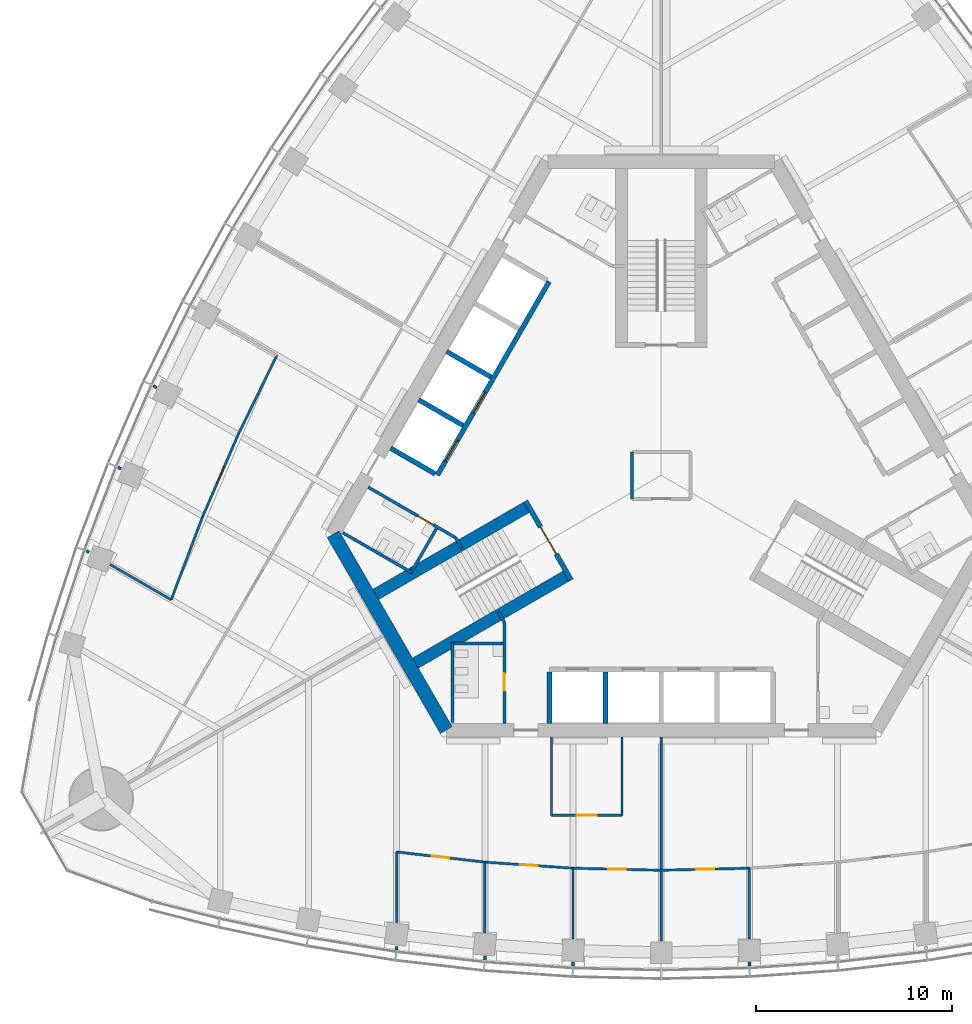
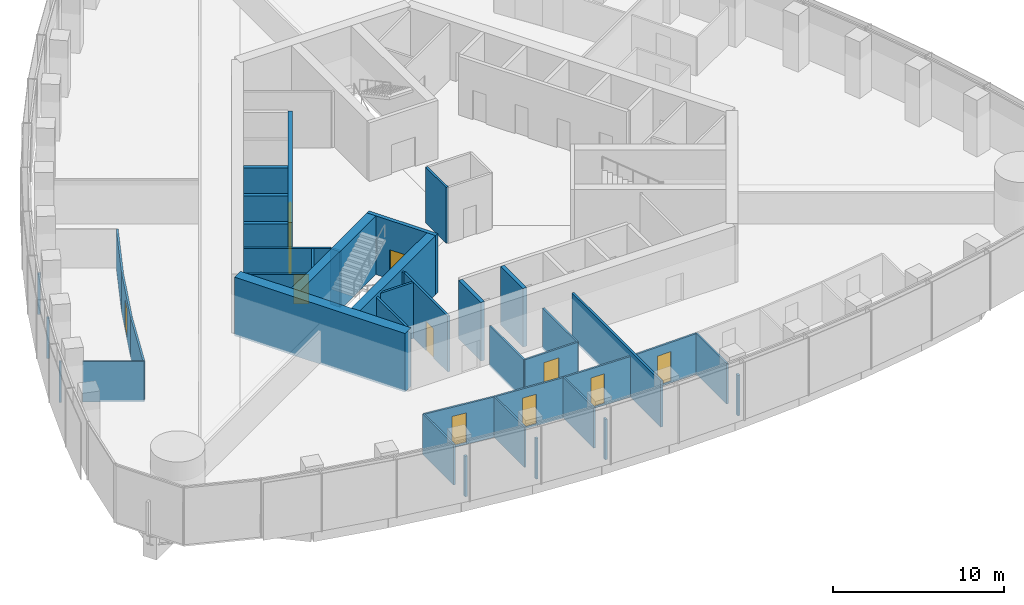
# One storey, part 11 of 19: 42 walls, 11 doors, 11 openings.
"""IFC4 building model written with IfcOpenShell, lengths in metres."""

from ifc_helpers import new_model, si_unit, direction, frame, frame_2d, origin, place, context, subcontext, project, spatial, rectangle, extrude, material, layer, layer_set, type_object, element, fill, save


model = new_model("IFC4")

# Units and contexts
model_context = context("Model", 3, precision=1e-05, world=origin(), true_north=direction((0.0, 1.0)))
body_context = subcontext(model_context, "Body", "Model", "MODEL_VIEW")
ifc_project = project(units=[si_unit("LENGTHUNIT", "METRE"), si_unit("AREAUNIT", "SQUARE_METRE"), si_unit("VOLUMEUNIT", "CUBIC_METRE"), si_unit("PLANEANGLEUNIT", "RADIAN"), si_unit("MASSUNIT", "GRAM", prefix="KILO")], contexts=[model_context])

# Site, building, storey
site_placement = place(None, origin())
site = spatial("IfcSite", under=ifc_project, at=site_placement, CompositionType="ELEMENT")
building_placement = place(site_placement, origin())
building = spatial("IfcBuilding", under=site, at=building_placement, Name="Trefoil Bronze Tower", CompositionType="ELEMENT")
storey_placement = place(building_placement, frame((0.0, 0.0, 223.300048828125)))
storey = spatial("IfcBuildingStorey", under=building, at=storey_placement, Name="L51", CompositionType="ELEMENT", Elevation=223.300048828125)

# Wall
ifc_material_1 = material(Name="Concrete B80", Category="concrete")
ifc_layer_1 = layer(ifc_material_1, 0.699951171875)
ifc_layer_set_1 = layer_set([ifc_layer_1], Name="Core wall 700")
wall_type_1 = type_object("IfcWallType", Name="Core wall 700", PredefinedType="SHEAR", material=ifc_layer_set_1)
wall_1_placement = place(storey_placement, frame((-16.7431640625, -3.0, 0.0), z_axis=(0.0, 0.0, 1.0), x_axis=(0.499995765644, -0.866027848477, 0.0)))
element("IfcWall", 1, at=wall_1_placement, inside=storey, type_object=wall_type_1, Name="Core short wall 3 L51", PredefinedType="SHEAR", context=body_context, shape_type="SweptSolid", body=[
    extrude(rectangle(XDim=11.546875, YDim=0.699951171875, at=frame_2d((5.7734375, 0.0))), origin(), (0.0, 0.0, 1.0), 4.199951171875),
])

# Wall, opening, door
ifc_material_2 = material(Name="Glazed partition", Category="glass")
ifc_layer_2 = layer(ifc_material_2, 0.1201171875)
ifc_layer_set_2 = layer_set([ifc_layer_2], Name="Glazed partition 120")
wall_type_2 = type_object("IfcWallType", Name="Glazed partition 120", PredefinedType="PARTITIONING", material=ifc_layer_set_2)
wall_2_placement = place(storey_placement, frame((-5.60009765625, -17.35009765625, 0.0), z_axis=(0.0, 0.0, 1.0), x_axis=(1.0, 0.0, 0.0)))
wall_2 = element("IfcWall", 2, at=wall_2_placement, inside=storey, type_object=wall_type_2, Name="Partition F1 L51", PredefinedType="PARTITIONING", context=body_context, shape_type="SweptSolid", body=[
    extrude(rectangle(XDim=3.60009765625, YDim=0.1201171875, at=frame_2d((1.800048828125, 0.0))), origin(), (0.0, 0.0, 1.0), 2.89990234375),
])
opening_1_placement = place(wall_2_placement, frame((1.300048828125, 0.0, 0.14990234375)))
opening_1 = element("IfcOpeningElement", 3, at=opening_1_placement, cuts=wall_2, Name="Opening D9", PredefinedType="OPENING", context=body_context, shape_type="SweptSolid", body=[
    extrude(rectangle(XDim=1.0, YDim=2.10009765625, at=frame_2d((0.5, 1.050048828125))), frame((0.0, 0.070068359375, 0.0), z_axis=(0.0, -1.0, 0.0), x_axis=(1.0, 0.0, 0.0)), (0.0, 0.0, 1.0), 0.14013671875),
])
ifc_material_3 = material(Name="Glazed timber door", Category="wood")
door_type_1 = type_object("IfcDoorType", Name="Meeting room door 1000", OperationType="SINGLE_SWING_LEFT", PredefinedType="DOOR", material=ifc_material_3)
door_1_placement = place(opening_1_placement, origin())
door_1 = element("IfcDoor", 4, at=door_1_placement, inside=storey, type_object=door_type_1, Name="Meeting room door F1 L51", OperationType="SINGLE_SWING_RIGHT", OverallHeight=2.10009765625, OverallWidth=1.0, PredefinedType="DOOR", context=body_context, shape_type="SweptSolid", body=[
    extrude(rectangle(XDim=1.0, YDim=2.10009765625, at=frame_2d((0.5, 1.050048828125))), frame((0.0, 0.02490234375, 0.0), z_axis=(0.0, -1.0, 0.0), x_axis=(1.0, 0.0, 0.0)), (0.0, 0.0, 1.0), 0.050048828125),
])
fill(opening_1, door_1)

# Walls
for number, where, z_axis, x_axis, name in (
    (5, (-2.0, -13.35009765625, 0.0), (0.0, 0.0, 1.0), (0.0, -1.0, 0.0), "Partition F1 L51"),
    (6, (-5.60009765625, -13.35009765625, 0.0), (0.0, 0.0, 1.0), (0.0, -1.0, 0.0), "Partition F1 L51"),
):
    element("IfcWall", number, at=place(storey_placement, frame(where, z_axis=z_axis, x_axis=x_axis)), inside=storey, type_object=wall_type_2, Name=name, PredefinedType="PARTITIONING", context=body_context, shape_type="SweptSolid", body=[
        extrude(rectangle(XDim=4.0, YDim=0.1201171875, at=frame_2d((2.0, 0.0))), origin(), (0.0, 0.0, 1.0), 2.89990234375),
    ])

# Wall, opening, door
wall_3_placement = place(storey_placement, frame((0.0, -20.150634765625, 0.0), z_axis=(0.0, 0.0, 1.0), x_axis=(0.99973552509, 0.022997388381, 0.0)))
wall_3 = element("IfcWall", 7, at=wall_3_placement, inside=storey, type_object=wall_type_2, Name="Partition F1 L51", PredefinedType="PARTITIONING", context=body_context, shape_type="SweptSolid", body=[
    extrude(rectangle(XDim=4.501220703125, YDim=0.1201171875, at=frame_2d((2.25048828125, 0.0))), origin(), (0.0, 0.0, 1.0), 2.89990234375),
])
opening_2_placement = place(wall_3_placement, frame((1.800048828125, 0.0, 0.14990234375)))
opening_2 = element("IfcOpeningElement", 8, at=opening_2_placement, cuts=wall_3, Name="Opening D8", PredefinedType="OPENING", context=body_context, shape_type="SweptSolid", body=[
    extrude(rectangle(XDim=0.89990234375, YDim=2.10009765625, at=frame_2d((0.449951171875, 1.050048828125))), frame((0.0, 0.070068359375, 0.0), z_axis=(0.0, -1.0, 0.0), x_axis=(1.0, 0.0, 0.0)), (0.0, 0.0, 1.0), 0.14013671875),
])
ifc_material_4 = material(Name="Timber door", Category="wood")
door_type_2 = type_object("IfcDoorType", Name="Office door 900", OperationType="SINGLE_SWING_LEFT", PredefinedType="DOOR", material=ifc_material_4)
door_2_placement = place(opening_2_placement, frame((0.89990234375, 0.0, 0.0), z_axis=(0.0, 0.0, 1.0), x_axis=(-1.0, 0.0, 0.0)))
door_2 = element("IfcDoor", 9, at=door_2_placement, inside=storey, type_object=door_type_2, Name="Office door F1 L51", OperationType="SINGLE_SWING_RIGHT", OverallHeight=2.10009765625, OverallWidth=0.89990234375, PredefinedType="DOOR", context=body_context, shape_type="SweptSolid", body=[
    extrude(rectangle(XDim=0.89990234375, YDim=2.10009765625, at=frame_2d((0.449951171875, 1.050048828125))), frame((0.0, 0.02490234375, 0.0), z_axis=(0.0, -1.0, 0.0), x_axis=(1.0, 0.0, 0.0)), (0.0, 0.0, 1.0), 0.050048828125),
])
fill(opening_2, door_2)

wall_4_placement = place(storey_placement, frame((-13.5, -19.216064453125, 0.0), z_axis=(0.0, 0.0, 1.0), x_axis=(0.993382946625, -0.114849124309, 0.0)))
wall_4 = element("IfcWall", 10, at=wall_4_placement, inside=storey, type_object=wall_type_2, Name="Partition F1 L51", PredefinedType="PARTITIONING", context=body_context, shape_type="SweptSolid", body=[
    extrude(rectangle(XDim=4.530029296875, YDim=0.1201171875, at=frame_2d((2.26513671875, 0.0))), origin(), (0.0, 0.0, 1.0), 2.89990234375),
])
opening_3_placement = place(wall_4_placement, frame((1.800048828125, 0.0, 0.14990234375)))
opening_3 = element("IfcOpeningElement", 11, at=opening_3_placement, cuts=wall_4, Name="Opening D8", PredefinedType="OPENING", context=body_context, shape_type="SweptSolid", body=[
    extrude(rectangle(XDim=0.89990234375, YDim=2.10009765625, at=frame_2d((0.449951171875, 1.050048828125))), frame((0.0, 0.070068359375, 0.0), z_axis=(0.0, -1.0, 0.0), x_axis=(1.0, 0.0, 0.0)), (0.0, 0.0, 1.0), 0.14013671875),
])
door_3_placement = place(opening_3_placement, frame((0.89990234375, 0.0, 0.0), z_axis=(0.0, 0.0, 1.0), x_axis=(-1.0, 0.0, 0.0)))
door_3 = element("IfcDoor", 12, at=door_3_placement, inside=storey, type_object=door_type_2, Name="Office door F1 L51", OperationType="SINGLE_SWING_RIGHT", OverallHeight=2.10009765625, OverallWidth=0.89990234375, PredefinedType="DOOR", context=body_context, shape_type="SweptSolid", body=[
    extrude(rectangle(XDim=0.89990234375, YDim=2.10009765625, at=frame_2d((0.449951171875, 1.050048828125))), frame((0.0, 0.02490234375, 0.0), z_axis=(0.0, -1.0, 0.0), x_axis=(1.0, 0.0, 0.0)), (0.0, 0.0, 1.0), 0.050048828125),
])
fill(opening_3, door_3)

wall_5_placement = place(storey_placement, frame((-4.5, -20.047119140625, 0.0), z_axis=(0.0, 0.0, 1.0), x_axis=(0.99973552509, -0.022997388381, 0.0)))
wall_5 = element("IfcWall", 13, at=wall_5_placement, inside=storey, type_object=wall_type_2, Name="Partition F1 L51", PredefinedType="PARTITIONING", context=body_context, shape_type="SweptSolid", body=[
    extrude(rectangle(XDim=4.501220703125, YDim=0.1201171875, at=frame_2d((2.25048828125, 0.0))), origin(), (0.0, 0.0, 1.0), 2.89990234375),
])
opening_4_placement = place(wall_5_placement, frame((1.800048828125, 0.0, 0.14990234375)))
opening_4 = element("IfcOpeningElement", 14, at=opening_4_placement, cuts=wall_5, Name="Opening D8", PredefinedType="OPENING", context=body_context, shape_type="SweptSolid", body=[
    extrude(rectangle(XDim=0.89990234375, YDim=2.10009765625, at=frame_2d((0.449951171875, 1.050048828125))), frame((0.0, 0.070068359375, 0.0), z_axis=(0.0, -1.0, 0.0), x_axis=(1.0, 0.0, 0.0)), (0.0, 0.0, 1.0), 0.14013671875),
])
door_4_placement = place(opening_4_placement, frame((0.89990234375, 0.0, 0.0), z_axis=(0.0, 0.0, 1.0), x_axis=(-1.0, 0.0, 0.0)))
door_4 = element("IfcDoor", 15, at=door_4_placement, inside=storey, type_object=door_type_2, Name="Office door F1 L51", OperationType="SINGLE_SWING_RIGHT", OverallHeight=2.10009765625, OverallWidth=0.89990234375, PredefinedType="DOOR", context=body_context, shape_type="SweptSolid", body=[
    extrude(rectangle(XDim=0.89990234375, YDim=2.10009765625, at=frame_2d((0.449951171875, 1.050048828125))), frame((0.0, 0.02490234375, 0.0), z_axis=(0.0, -1.0, 0.0), x_axis=(1.0, 0.0, 0.0)), (0.0, 0.0, 1.0), 0.050048828125),
])
fill(opening_4, door_4)

wall_6_placement = place(storey_placement, frame((-9.0, -19.736328125, 0.0), z_axis=(0.0, 0.0, 1.0), x_axis=(0.997623533978, -0.068900540297, 0.0)))
wall_6 = element("IfcWall", 16, at=wall_6_placement, inside=storey, type_object=wall_type_2, Name="Partition F1 L51", PredefinedType="PARTITIONING", context=body_context, shape_type="SweptSolid", body=[
    extrude(rectangle(XDim=4.5107421875, YDim=0.1201171875, at=frame_2d((2.25537109375, 0.0))), origin(), (0.0, 0.0, 1.0), 2.89990234375),
])
opening_5_placement = place(wall_6_placement, frame((1.800048828125, 0.0, 0.14990234375)))
opening_5 = element("IfcOpeningElement", 17, at=opening_5_placement, cuts=wall_6, Name="Opening D8", PredefinedType="OPENING", context=body_context, shape_type="SweptSolid", body=[
    extrude(rectangle(XDim=0.89990234375, YDim=2.10009765625, at=frame_2d((0.449951171875, 1.050048828125))), frame((0.0, 0.070068359375, 0.0), z_axis=(0.0, -1.0, 0.0), x_axis=(1.0, 0.0, 0.0)), (0.0, 0.0, 1.0), 0.14013671875),
])
door_5_placement = place(opening_5_placement, frame((0.89990234375, 0.0, 0.0), z_axis=(0.0, 0.0, 1.0), x_axis=(-1.0, 0.0, 0.0)))
door_5 = element("IfcDoor", 18, at=door_5_placement, inside=storey, type_object=door_type_2, Name="Office door F1 L51", OperationType="SINGLE_SWING_RIGHT", OverallHeight=2.10009765625, OverallWidth=0.89990234375, PredefinedType="DOOR", context=body_context, shape_type="SweptSolid", body=[
    extrude(rectangle(XDim=0.89990234375, YDim=2.10009765625, at=frame_2d((0.449951171875, 1.050048828125))), frame((0.0, 0.02490234375, 0.0), z_axis=(0.0, -1.0, 0.0), x_axis=(1.0, 0.0, 0.0)), (0.0, 0.0, 1.0), 0.050048828125),
])
fill(opening_5, door_5)

# Walls
wall_7_placement = place(storey_placement, frame((4.5, -20.047119140625, 0.0), z_axis=(0.0, 0.0, 1.0), x_axis=(0.0, -1.0, 0.0)))
element("IfcWall", 19, at=wall_7_placement, inside=storey, type_object=wall_type_2, Name="Partition F1 L51", PredefinedType="PARTITIONING", context=body_context, shape_type="SweptSolid", body=[
    extrude(rectangle(XDim=3.61865234375, YDim=0.1201171875, at=frame_2d((1.809326171875, 0.0))), origin(), (0.0, 0.0, 1.0), 2.89990234375),
])
wall_8_placement = place(storey_placement, frame((-13.5, -19.216064453125, 0.0), z_axis=(0.0, 0.0, 1.0), x_axis=(0.0, -1.0, 0.0)))
element("IfcWall", 20, at=wall_8_placement, inside=storey, type_object=wall_type_2, Name="Partition F1 L51", PredefinedType="PARTITIONING", context=body_context, shape_type="SweptSolid", body=[
    extrude(rectangle(XDim=3.606689453125, YDim=0.1201171875, at=frame_2d((1.80322265625, 0.0))), origin(), (0.0, 0.0, 1.0), 2.89990234375),
])
wall_9_placement = place(storey_placement, frame((-4.5, -20.047119140625, 0.0), z_axis=(0.0, 0.0, 1.0), x_axis=(0.0, -1.0, 0.0)))
element("IfcWall", 21, at=wall_9_placement, inside=storey, type_object=wall_type_2, Name="Partition F1 L51", PredefinedType="PARTITIONING", context=body_context, shape_type="SweptSolid", body=[
    extrude(rectangle(XDim=3.61865234375, YDim=0.1201171875, at=frame_2d((1.809326171875, 0.0))), origin(), (0.0, 0.0, 1.0), 2.89990234375),
])
wall_10_placement = place(storey_placement, frame((-9.0, -19.736328125, 0.0), z_axis=(0.0, 0.0, 1.0), x_axis=(0.0, -1.0, 0.0)))
element("IfcWall", 22, at=wall_10_placement, inside=storey, type_object=wall_type_2, Name="Partition F1 L51", PredefinedType="PARTITIONING", context=body_context, shape_type="SweptSolid", body=[
    extrude(rectangle(XDim=3.6142578125, YDim=0.1201171875, at=frame_2d((1.80712890625, 0.0))), origin(), (0.0, 0.0, 1.0), 2.89990234375),
])
wall_11_placement = place(storey_placement, frame((-23.3916015625, -2.083251953125, 0.0), z_axis=(0.0, 0.0, 1.0), x_axis=(-0.354219967303, -0.935162132875, 0.0)))
element("IfcWall", 23, at=wall_11_placement, inside=storey, type_object=wall_type_2, Name="Partition F3 L51", PredefinedType="PARTITIONING", context=body_context, shape_type="SweptSolid", body=[
    extrude(rectangle(XDim=4.559326171875, YDim=0.1201171875, at=frame_2d((2.27978515625, 0.0))), origin(), (0.0, 0.0, 1.0), 2.89990234375),
])
wall_12_placement = place(storey_placement, frame((-19.611328125, 6.12646484375, 0.0), z_axis=(0.0, 0.0, 1.0), x_axis=(-0.439163535873, -0.898407139753, 0.0)))
element("IfcWall", 24, at=wall_12_placement, inside=storey, type_object=wall_type_2, Name="Partition F3 L51", PredefinedType="PARTITIONING", context=body_context, shape_type="SweptSolid", body=[
    extrude(rectangle(XDim=4.5107421875, YDim=0.1201171875, at=frame_2d((2.25537109375, 0.0))), origin(), (0.0, 0.0, 1.0), 2.89990234375),
])

# Wall, opening, door
wall_13_placement = place(storey_placement, frame((-21.59228515625, 2.073974609375, 0.0), z_axis=(0.0, 0.0, 1.0), x_axis=(-0.397208101111, -0.917728567939, 0.0)))
wall_13 = element("IfcWall", 25, at=wall_13_placement, inside=storey, type_object=wall_type_2, Name="Partition F3 L51", PredefinedType="PARTITIONING", context=body_context, shape_type="SweptSolid", body=[
    extrude(rectangle(XDim=4.530029296875, YDim=0.1201171875, at=frame_2d((2.26513671875, 0.0))), origin(), (0.0, 0.0, 1.0), 2.89990234375),
])
opening_6_placement = place(wall_13_placement, frame((1.800048828125, 0.0, 0.14990234375)))
opening_6 = element("IfcOpeningElement", 26, at=opening_6_placement, cuts=wall_13, Name="Opening D8", PredefinedType="OPENING", context=body_context, shape_type="SweptSolid", body=[
    extrude(rectangle(XDim=0.89990234375, YDim=2.10009765625, at=frame_2d((0.449951171875, 1.050048828125))), frame((0.0, 0.070068359375, 0.0), z_axis=(0.0, -1.0, 0.0), x_axis=(1.0, 0.0, 0.0)), (0.0, 0.0, 1.0), 0.14013671875),
])
door_6_placement = place(opening_6_placement, frame((0.89990234375, 0.0, 0.0), z_axis=(0.0, 0.0, 1.0), x_axis=(-1.0, 0.0, 0.0)))
door_6 = element("IfcDoor", 27, at=door_6_placement, inside=storey, type_object=door_type_2, Name="Quiet library door F3 L51", OperationType="SINGLE_SWING_RIGHT", OverallHeight=2.10009765625, OverallWidth=0.89990234375, PredefinedType="DOOR", context=body_context, shape_type="SweptSolid", body=[
    extrude(rectangle(XDim=0.89990234375, YDim=2.10009765625, at=frame_2d((0.449951171875, 1.050048828125))), frame((0.0, 0.02490234375, 0.0), z_axis=(0.0, -1.0, 0.0), x_axis=(1.0, 0.0, 0.0)), (0.0, 0.0, 1.0), 0.050048828125),
])
fill(opening_6, door_6)

# Wall
wall_14_placement = place(storey_placement, frame((-25.006591796875, -6.346923828125, 0.0), z_axis=(0.0, 0.0, 1.0), x_axis=(-0.866032969717, 0.499986895192, 0.0)))
element("IfcWall", 28, at=wall_14_placement, inside=storey, type_object=wall_type_2, Name="Partition F3 L51", PredefinedType="PARTITIONING", context=body_context, shape_type="SweptSolid", body=[
    extrude(rectangle(XDim=3.59619140625, YDim=0.1201171875, at=frame_2d((1.798095703125, 0.0))), origin(), (0.0, 0.0, 1.0), 2.89990234375),
])

# Wall, opening, door
ifc_material_5 = material(Name="Gypsum board on steel studs", Category="steel")
ifc_layer_3 = layer(ifc_material_5, 0.14990234375)
ifc_layer_set_3 = layer_set([ifc_layer_3], Name="Partition 150")
wall_type_3 = type_object("IfcWallType", Name="Partition 150", PredefinedType="PARTITIONING", material=ifc_layer_set_3)
wall_15_placement = place(storey_placement, frame((-8.0, -7.5, 0.0), z_axis=(0.0, 0.0, 1.0), x_axis=(0.0, -1.0, 0.0)))
wall_15 = element("IfcWall", 29, at=wall_15_placement, inside=storey, type_object=wall_type_3, Name="Passage wall F1- L51", PredefinedType="PARTITIONING", context=body_context, shape_type="SweptSolid", body=[
    extrude(rectangle(XDim=5.14990234375, YDim=0.14990234375, at=frame_2d((2.574951171875, 0.0))), origin(), (0.0, 0.0, 1.0), 4.0),
])
opening_7_placement = place(wall_15_placement, frame((2.60009765625, 0.0, 0.0)))
opening_7 = element("IfcOpeningElement", 30, at=opening_7_placement, cuts=wall_15, Name="Opening D3", PredefinedType="OPENING", context=body_context, shape_type="SweptSolid", body=[
    extrude(rectangle(XDim=0.89990234375, YDim=2.10009765625, at=frame_2d((0.449951171875, 1.050048828125))), frame((0.0, 0.0849609375, 0.0), z_axis=(0.0, -1.0, 0.0), x_axis=(1.0, 0.0, 0.0)), (0.0, 0.0, 1.0), 0.169921875),
])
ifc_material_6 = material(Name="Timber door", Category="wood")
door_type_3 = type_object("IfcDoorType", Name="WC door 900", OperationType="SINGLE_SWING_LEFT", PredefinedType="DOOR", material=ifc_material_6)
door_7_placement = place(opening_7_placement, frame((0.89990234375, 0.0, 0.0), z_axis=(0.0, 0.0, 1.0), x_axis=(-1.0, 0.0, 0.0)))
door_7 = element("IfcDoor", 31, at=door_7_placement, inside=storey, type_object=door_type_3, Name="WC (women) door L51", OperationType="SINGLE_SWING_RIGHT", OverallHeight=2.10009765625, OverallWidth=0.89990234375, PredefinedType="DOOR", context=body_context, shape_type="SweptSolid", body=[
    extrude(rectangle(XDim=0.89990234375, YDim=2.10009765625, at=frame_2d((0.449951171875, 1.050048828125))), frame((0.0, 0.02490234375, 0.0), z_axis=(0.0, -1.0, 0.0), x_axis=(1.0, 0.0, 0.0)), (0.0, 0.0, 1.0), 0.050048828125),
])
fill(opening_7, door_7)

wall_16_placement = place(storey_placement, frame((-10.4951171875, -3.17822265625, 0.0), z_axis=(0.0, 0.0, 1.0), x_axis=(-0.866037967349, 0.499978238636, 0.0)))
wall_16 = element("IfcWall", 32, at=wall_16_placement, inside=storey, type_object=wall_type_3, Name="Passage wall F3+ L51", PredefinedType="PARTITIONING", context=body_context, shape_type="SweptSolid", body=[
    extrude(rectangle(XDim=5.150146484375, YDim=0.14990234375, at=frame_2d((2.5751953125, 0.0))), origin(), (0.0, 0.0, 1.0), 4.0),
])
opening_8_placement = place(wall_16_placement, frame((1.300048828125, 0.0, 0.0)))
opening_8 = element("IfcOpeningElement", 33, at=opening_8_placement, cuts=wall_16, Name="Opening D3", PredefinedType="OPENING", context=body_context, shape_type="SweptSolid", body=[
    extrude(rectangle(XDim=0.89990234375, YDim=2.10009765625, at=frame_2d((0.449951171875, 1.050048828125))), frame((0.0, 0.0849609375, 0.0), z_axis=(0.0, -1.0, 0.0), x_axis=(1.0, 0.0, 0.0)), (0.0, 0.0, 1.0), 0.169921875),
])
door_8_placement = place(opening_8_placement, origin())
door_8 = element("IfcDoor", 34, at=door_8_placement, inside=storey, type_object=door_type_3, Name="WC (men) door L51", OperationType="SINGLE_SWING_LEFT", OverallHeight=2.10009765625, OverallWidth=0.89990234375, PredefinedType="DOOR", context=body_context, shape_type="SweptSolid", body=[
    extrude(rectangle(XDim=0.89990234375, YDim=2.10009765625, at=frame_2d((0.449951171875, 1.050048828125))), frame((0.0, 0.02490234375, 0.0), z_axis=(0.0, -1.0, 0.0), x_axis=(1.0, 0.0, 0.0)), (0.0, 0.0, 1.0), 0.050048828125),
])
fill(opening_8, door_8)

# Walls
for number, where, z_axis, x_axis, name in (
    (35, (-10.4951171875, -3.17822265625, 0.0), (0.0, 0.0, 1.0), (0.499842556608, -0.866116284689, 0.0), "WC wall ST3-1 L51"),
    (36, (-8.0, -7.5, 0.0), (0.0, 0.0, 1.0), (-0.499842556608, 0.866116284689, 0.0), "WC wall ST3+1 L51"),
):
    element("IfcWall", number, at=place(storey_placement, frame(where, z_axis=z_axis, x_axis=x_axis)), inside=storey, type_object=wall_type_3, Name=name, PredefinedType="PARTITIONING", context=body_context, shape_type="SweptSolid", body=[
        extrude(rectangle(XDim=0.645263671875, YDim=0.14990234375, at=frame_2d((0.32275390625, 0.0))), origin(), (0.0, 0.0, 1.0), 4.0),
    ])
wall_17_placement = place(storey_placement, frame((-12.691162109375, -4.98193359375, 0.0), z_axis=(0.0, 0.0, 1.0), x_axis=(-0.8660249478, 0.500000789788, 0.0)))
element("IfcWall", 37, at=wall_17_placement, inside=storey, type_object=wall_type_3, Name="WC partition WC (men) L51", PredefinedType="PARTITIONING", context=body_context, shape_type="SweptSolid", body=[
    extrude(rectangle(XDim=4.10009765625, YDim=0.14990234375, at=frame_2d((2.050048828125, 0.0))), origin(), (0.0, 0.0, 1.0), 4.0),
])
wall_18_placement = place(storey_placement, frame((-11.463623046875, -2.70556640625, 0.0), z_axis=(0.0, 0.0, 1.0), x_axis=(-0.50001992892, -0.866013897511, 0.0)))
element("IfcWall", 38, at=wall_18_placement, inside=storey, type_object=wall_type_3, Name="WC partition WC (men) L51", PredefinedType="PARTITIONING", context=body_context, shape_type="SweptSolid", body=[
    extrude(rectangle(XDim=2.51025390625, YDim=0.14990234375, at=frame_2d((1.255126953125, 0.0))), origin(), (0.0, 0.0, 1.0), 4.0),
])
wall_19_placement = place(storey_placement, frame((-10.659912109375, -8.5, 0.0), z_axis=(0.0, 0.0, 1.0), x_axis=(0.0, -1.0, 0.0)))
element("IfcWall", 39, at=wall_19_placement, inside=storey, type_object=wall_type_3, Name="WC partition WC (women) L51", PredefinedType="PARTITIONING", context=body_context, shape_type="SweptSolid", body=[
    extrude(rectangle(XDim=4.10009765625, YDim=0.14990234375, at=frame_2d((2.050048828125, 0.0))), origin(), (0.0, 0.0, 1.0), 4.0),
])
wall_20_placement = place(storey_placement, frame((-8.074951171875, -8.574951171875, 0.0), z_axis=(0.0, 0.0, 1.0), x_axis=(-1.0, 0.0, 0.0)))
element("IfcWall", 40, at=wall_20_placement, inside=storey, type_object=wall_type_3, Name="WC partition WC (women) L51", PredefinedType="PARTITIONING", context=body_context, shape_type="SweptSolid", body=[
    extrude(rectangle(XDim=2.510009765625, YDim=0.14990234375, at=frame_2d((1.2548828125, 0.0))), origin(), (0.0, 0.0, 1.0), 4.0),
])
wall_21_placement = place(storey_placement, frame((4.5, -24.8251953125, 0.0), z_axis=(0.0, 0.0, 1.0), x_axis=(0.0, -1.0, 0.0)))
element("IfcWall", 41, at=wall_21_placement, inside=storey, type_object=wall_type_3, Name="Partition F1 L51", PredefinedType="PARTITIONING", context=body_context, shape_type="SweptSolid", body=[
    extrude(rectangle(XDim=0.217041015625, YDim=0.14990234375, at=frame_2d((0.1083984375, 0.0))), origin(), (0.0, 0.0, 1.0), 2.89990234375),
])
wall_22_placement = place(storey_placement, frame((-13.5, -24.032958984375, 0.0), z_axis=(0.0, 0.0, 1.0), x_axis=(0.0, -1.0, 0.0)))
element("IfcWall", 42, at=wall_22_placement, inside=storey, type_object=wall_type_3, Name="Partition F1 L51", PredefinedType="PARTITIONING", context=body_context, shape_type="SweptSolid", body=[
    extrude(rectangle(XDim=0.17822265625, YDim=0.14990234375, at=frame_2d((0.089111328125, 0.0))), origin(), (0.0, 0.0, 1.0), 2.89990234375),
])
wall_23_placement = place(storey_placement, frame((-4.5, -24.8251953125, 0.0), z_axis=(0.0, 0.0, 1.0), x_axis=(0.0, -1.0, 0.0)))
element("IfcWall", 43, at=wall_23_placement, inside=storey, type_object=wall_type_3, Name="Partition F1 L51", PredefinedType="PARTITIONING", context=body_context, shape_type="SweptSolid", body=[
    extrude(rectangle(XDim=0.217041015625, YDim=0.14990234375, at=frame_2d((0.1083984375, 0.0))), origin(), (0.0, 0.0, 1.0), 2.89990234375),
])
wall_24_placement = place(storey_placement, frame((-9.0, -24.535400390625, 0.0), z_axis=(0.0, 0.0, 1.0), x_axis=(0.0, -1.0, 0.0)))
element("IfcWall", 44, at=wall_24_placement, inside=storey, type_object=wall_type_3, Name="Partition F1 L51", PredefinedType="PARTITIONING", context=body_context, shape_type="SweptSolid", body=[
    extrude(rectangle(XDim=0.196044921875, YDim=0.14990234375, at=frame_2d((0.09814453125, 0.0))), origin(), (0.0, 0.0, 1.0), 2.89990234375),
])
wall_25_placement = place(storey_placement, frame((-27.563232421875, 0.3251953125, 0.0), z_axis=(0.0, 0.0, 1.0), x_axis=(-0.865614066289, 0.500711781609, 0.0)))
element("IfcWall", 45, at=wall_25_placement, inside=storey, type_object=wall_type_3, Name="Partition F3 L51", PredefinedType="PARTITIONING", context=body_context, shape_type="SweptSolid", body=[
    extrude(rectangle(XDim=0.177978515625, YDim=0.14990234375, at=frame_2d((0.0888671875, 0.0))), origin(), (0.0, 0.0, 1.0), 2.89990234375),
])
wall_26_placement = place(storey_placement, frame((-29.19140625, -3.930908203125, 0.0), z_axis=(0.0, 0.0, 1.0), x_axis=(-0.866484919499, 0.499203249469, 0.0)))
element("IfcWall", 46, at=wall_26_placement, inside=storey, type_object=wall_type_3, Name="Partition F3 L51", PredefinedType="PARTITIONING", context=body_context, shape_type="SweptSolid", body=[
    extrude(rectangle(XDim=0.162841796875, YDim=0.14990234375, at=frame_2d((0.08154296875, 0.0))), origin(), (0.0, 0.0, 1.0), 2.89990234375),
])
wall_27_placement = place(storey_placement, frame((-25.748291015625, 4.473388671875, 0.0), z_axis=(0.0, 0.0, 1.0), x_axis=(-0.865625187776, 0.500692554656, 0.0)))
element("IfcWall", 47, at=wall_27_placement, inside=storey, type_object=wall_type_3, Name="Partition F3 L51", PredefinedType="PARTITIONING", context=body_context, shape_type="SweptSolid", body=[
    extrude(rectangle(XDim=0.196044921875, YDim=0.14990234375, at=frame_2d((0.09814453125, 0.0))), origin(), (0.0, 0.0, 1.0), 2.89990234375),
])
ifc_material_7 = material(Name="Gypsum board on steel studs", Category="steel")
ifc_layer_4 = layer(ifc_material_7, 0.14990234375)
ifc_layer_set_4 = layer_set([ifc_layer_4], Name="Party wall 150")
wall_type_4 = type_object("IfcWallType", Name="Party wall 150", PredefinedType="PARTITIONING", material=ifc_layer_set_4)
wall_28_placement = place(storey_placement, frame((0.0, -13.360107421875, 0.0), z_axis=(0.0, 0.0, 1.0), x_axis=(0.0, -1.0, 0.0)))
element("IfcWall", 48, at=wall_28_placement, inside=storey, type_object=wall_type_4, Name="Demising wall F1 L51", PredefinedType="PARTITIONING", context=body_context, shape_type="SweptSolid", body=[
    extrude(rectangle(XDim=10.41064453125, YDim=0.14990234375, at=frame_2d((5.205322265625, 0.0))), origin(), (0.0, 0.0, 1.0), 3.300048828125),
])
ifc_material_8 = material(Name="Gypsum board on steel studs", Category="steel")
ifc_layer_5 = layer(ifc_material_8, 0.14990234375)
ifc_layer_set_5 = layer_set([ifc_layer_5], Name="Riser wall 150")
wall_type_5 = type_object("IfcWallType", Name="Riser wall 150", PredefinedType="PARTITIONING", material=ifc_layer_set_5)
wall_29_placement = place(storey_placement, frame((-1.5, 1.199951171875, 0.0), z_axis=(0.0, 0.0, 1.0), x_axis=(0.0, -1.0, 0.0)))
element("IfcWall", 49, at=wall_29_placement, inside=storey, type_object=wall_type_5, Name="Riser wall L51", PredefinedType="PARTITIONING", context=body_context, shape_type="SweptSolid", body=[
    extrude(rectangle(XDim=2.39990234375, YDim=0.14990234375, at=frame_2d((1.199951171875, 0.0))), origin(), (0.0, 0.0, 1.0), 4.0),
])
ifc_material_9 = material(Name="Concrete B80", Category="concrete")
ifc_layer_6 = layer(ifc_material_9, 0.25)
ifc_layer_set_6 = layer_set([ifc_layer_6], Name="Shaft wall 250")
wall_type_6 = type_object("IfcWallType", Name="Shaft wall 250", PredefinedType="SHEAR", material=ifc_layer_set_6)
for number, where, z_axis, x_axis, name in (
    (50, (-5.699951171875, -10.02490234375, 0.0), (0.0, 0.0, 1.0), (0.0, -1.0, 0.0), "Lift shaft side wall A0 L51"),
    (51, (-2.85009765625, -10.02490234375, 0.0), (0.0, 0.0, 1.0), (0.0, -1.0, 0.0), "Lift shaft side wall A1 L51"),
):
    element("IfcWall", number, at=place(storey_placement, frame(where, z_axis=z_axis, x_axis=x_axis)), inside=storey, type_object=wall_type_6, Name=name, PredefinedType="SHEAR", context=body_context, shape_type="SweptSolid", body=[
        extrude(rectangle(XDim=2.625, YDim=0.25, at=frame_2d((1.3125, 0.0))), origin(), (0.0, 0.0, 1.0), 4.199951171875),
    ])

# Wall, openings, doors
wall_30_placement = place(storey_placement, frame((-5.7236328125, 9.88623046875, 0.0), z_axis=(0.0, 0.0, 1.0), x_axis=(-0.500001763848, -0.866024385424, 0.0)))
wall_30 = element("IfcWall", 52, at=wall_30_placement, inside=storey, type_object=wall_type_6, Name="Lift shaft front wall C L51", PredefinedType="SHEAR", context=body_context, shape_type="SweptSolid", body=[
    extrude(rectangle(XDim=11.39990234375, YDim=0.25, at=frame_2d((5.699951171875, 0.0))), origin(), (0.0, 0.0, 1.0), 4.199951171875),
])
opening_9_placement = place(wall_30_placement, frame((6.52490234375, 0.0, 0.0)))
opening_9 = element("IfcOpeningElement", 53, at=opening_9_placement, cuts=wall_30, Name="Opening LD-FL1", PredefinedType="OPENING", context=body_context, shape_type="SweptSolid", body=[
    extrude(rectangle(XDim=1.199951171875, YDim=2.199951171875, at=frame_2d((0.60009765625, 1.10009765625))), frame((0.0, 0.135009765625, 0.0), z_axis=(0.0, -1.0, 0.0), x_axis=(1.0, 0.0, 0.0)), (0.0, 0.0, 1.0), 0.27001953125),
])
opening_10_placement = place(wall_30_placement, frame((9.375, 0.0, 0.0)))
opening_10 = element("IfcOpeningElement", 54, at=opening_10_placement, cuts=wall_30, Name="Opening LD-FL2", PredefinedType="OPENING", context=body_context, shape_type="SweptSolid", body=[
    extrude(rectangle(XDim=1.199951171875, YDim=2.199951171875, at=frame_2d((0.60009765625, 1.10009765625))), frame((0.0, 0.135009765625, 0.0), z_axis=(0.0, -1.0, 0.0), x_axis=(1.0, 0.0, 0.0)), (0.0, 0.0, 1.0), 0.27001953125),
])
ifc_material_10 = material(Name="Steel door", Category="steel")
door_type_4 = type_object("IfcDoorType", Name="Lift landing door 1200", OperationType="DOUBLE_DOOR_SLIDING", PredefinedType="DOOR", material=ifc_material_10)
door_9_placement = place(opening_9_placement, origin())
door_9 = element("IfcDoor", 55, at=door_9_placement, inside=storey, type_object=door_type_4, Name="Lift FL1 landing door L51", OperationType="DOUBLE_DOOR_SLIDING", OverallHeight=2.199951171875, OverallWidth=1.199951171875, PredefinedType="DOOR", context=body_context, shape_type="SweptSolid", body=[
    extrude(rectangle(XDim=1.199951171875, YDim=2.199951171875, at=frame_2d((0.60009765625, 1.10009765625))), frame((0.0, 0.02490234375, 0.0), z_axis=(0.0, -1.0, 0.0), x_axis=(1.0, 0.0, 0.0)), (0.0, 0.0, 1.0), 0.050048828125),
])
fill(opening_9, door_9)
door_10_placement = place(opening_10_placement, origin())
door_10 = element("IfcDoor", 56, at=door_10_placement, inside=storey, type_object=door_type_4, Name="Lift FL2 landing door L51", OperationType="DOUBLE_DOOR_SLIDING", OverallHeight=2.199951171875, OverallWidth=1.199951171875, PredefinedType="DOOR", context=body_context, shape_type="SweptSolid", body=[
    extrude(rectangle(XDim=1.199951171875, YDim=2.199951171875, at=frame_2d((0.60009765625, 1.10009765625))), frame((0.0, 0.02490234375, 0.0), z_axis=(0.0, -1.0, 0.0), x_axis=(1.0, 0.0, 0.0)), (0.0, 0.0, 1.0), 0.050048828125),
])
fill(opening_10, door_10)

# Walls
for number, where, z_axis, x_axis, name in (
    (57, (-8.681884765625, 5.012451171875, 0.0), (0.0, 0.0, 1.0), (-0.866036909293, 0.499980071345, 0.0), "Lift shaft side wall C2 L51"),
    (58, (-10.10693359375, 2.54443359375, 0.0), (0.0, 0.0, 1.0), (-0.866013657776, 0.500020344131, 0.0), "Lift shaft side wall C3 L51"),
    (59, (-11.531982421875, 0.076171875, 0.0), (0.0, 0.0, 1.0), (-0.866013657776, 0.500020344131, 0.0), "Lift shaft side wall C4 L51"),
):
    element("IfcWall", number, at=place(storey_placement, frame(where, z_axis=z_axis, x_axis=x_axis)), inside=storey, type_object=wall_type_6, Name=name, PredefinedType="SHEAR", context=body_context, shape_type="SweptSolid", body=[
        extrude(rectangle(XDim=2.625, YDim=0.25, at=frame_2d((1.3125, 0.0))), origin(), (0.0, 0.0, 1.0), 4.199951171875),
    ])

# Wall, opening, door
wall_31_placement = place(storey_placement, frame((-6.921630859375, -1.3115234375, 0.0), z_axis=(0.0, 0.0, 1.0), x_axis=(0.499984536904, -0.866034331223, 0.0)))
wall_31 = element("IfcWall", 60, at=wall_31_placement, inside=storey, type_object=wall_type_6, Name="Stair end wall ST3 L51", PredefinedType="SHEAR", context=body_context, shape_type="SweptSolid", body=[
    extrude(rectangle(XDim=4.650146484375, YDim=0.25, at=frame_2d((2.3251953125, 0.0))), origin(), (0.0, 0.0, 1.0), 4.199951171875),
])
opening_11_placement = place(wall_31_placement, frame((1.52490234375, 0.0, 0.0)))
opening_11 = element("IfcOpeningElement", 61, at=opening_11_placement, cuts=wall_31, Name="Opening D1", PredefinedType="OPENING", context=body_context, shape_type="SweptSolid", body=[
    extrude(rectangle(XDim=1.60009765625, YDim=2.10009765625, at=frame_2d((0.800048828125, 1.050048828125))), frame((0.0, 0.135009765625, 0.0), z_axis=(0.0, -1.0, 0.0), x_axis=(1.0, 0.0, 0.0)), (0.0, 0.0, 1.0), 0.27001953125),
])
ifc_material_11 = material(Name="Steel door", Category="steel")
door_type_5 = type_object("IfcDoorType", Name="Stair door 1600", OperationType="DOUBLE_DOOR_SINGLE_SWING", PredefinedType="DOOR", material=ifc_material_11)
door_11_placement = place(opening_11_placement, frame((1.60009765625, 0.0, 0.0), z_axis=(0.0, 0.0, 1.0), x_axis=(-1.0, 0.0, 0.0)))
door_11 = element("IfcDoor", 62, at=door_11_placement, inside=storey, type_object=door_type_5, Name="Stair door ST3 L51", OperationType="DOUBLE_DOOR_SINGLE_SWING", OverallHeight=2.10009765625, OverallWidth=1.60009765625, PredefinedType="DOOR", context=body_context, shape_type="SweptSolid", body=[
    extrude(rectangle(XDim=1.60009765625, YDim=2.10009765625, at=frame_2d((0.800048828125, 1.050048828125))), frame((0.0, 0.02490234375, 0.0), z_axis=(0.0, -1.0, 0.0), x_axis=(1.0, 0.0, 0.0)), (0.0, 0.0, 1.0), 0.050048828125),
])
fill(opening_11, door_11)

# Walls
ifc_material_12 = material(Name="Concrete B80", Category="concrete")
ifc_layer_7 = layer(ifc_material_12, 0.60009765625)
ifc_layer_set_7 = layer_set([ifc_layer_7], Name="Stair wall 600")
wall_type_7 = type_object("IfcWallType", Name="Stair wall 600", PredefinedType="SHEAR", material=ifc_layer_set_7)
for number, where, z_axis, x_axis, name in (
    (63, (-6.663330078125, -1.5087890625, 0.0), (0.0, 0.0, 1.0), (-0.866028310072, -0.499994966129, 0.0), "Stair wall ST3 L51"),
    (64, (-4.638427734375, -5.01611328125, 0.0), (0.0, 0.0, 1.0), (-0.866021621257, -0.500006551472, 0.0), "Stair wall ST3 L51"),
):
    element("IfcWall", number, at=place(storey_placement, frame(where, z_axis=z_axis, x_axis=x_axis)), inside=storey, type_object=wall_type_7, Name=name, PredefinedType="SHEAR", context=body_context, shape_type="SweptSolid", body=[
        extrude(rectangle(XDim=9.125, YDim=0.60009765625, at=frame_2d((4.5625, 0.0))), origin(), (0.0, 0.0, 1.0), 4.199951171875),
    ])

save(model, "model.ifc")
